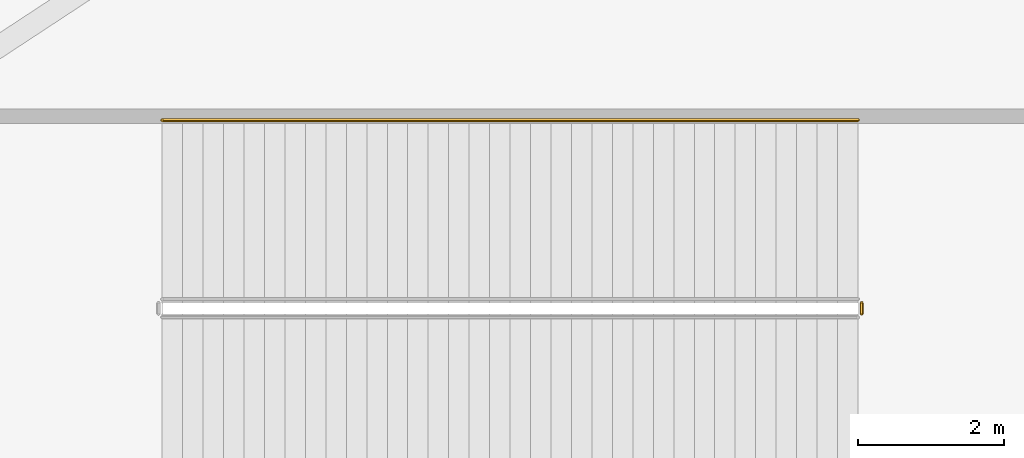
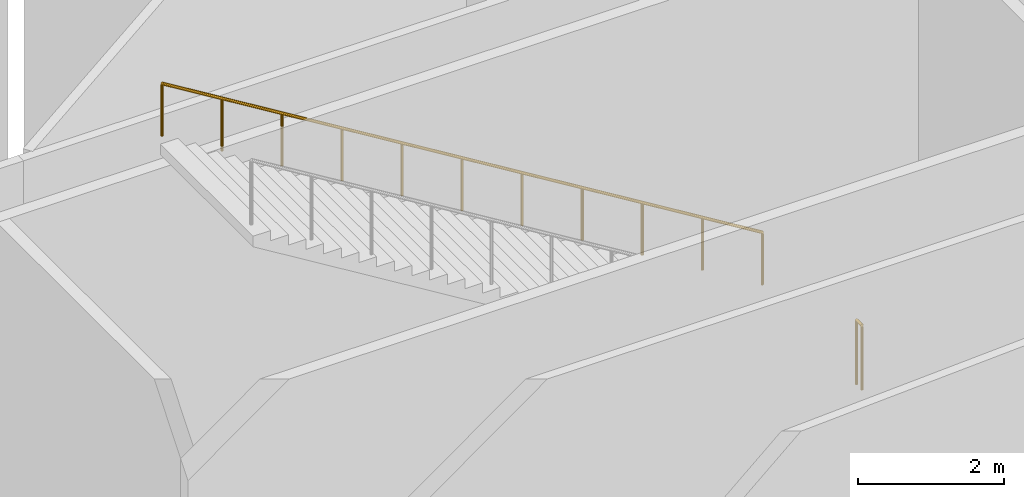
# One storey, part 21 of 21: 2 railings.
"""IFC4 building model written with IfcOpenShell, lengths in metres."""

from ifc_helpers import new_model, si_unit, direction, frame, origin, origin_2d, place, context, subcontext, project, spatial, circle, extrude, source, transform, mapped, material, type_object, element, save


model = new_model("IFC4")

# Units and contexts
model_context = context("Model", 3, precision=1e-05, world=origin(), true_north=direction((0.0, 1.0)))
body_context = subcontext(model_context, "Body", "Model", "MODEL_VIEW")
ifc_project = project(units=[si_unit("LENGTHUNIT", "METRE"), si_unit("AREAUNIT", "SQUARE_METRE"), si_unit("VOLUMEUNIT", "CUBIC_METRE"), si_unit("PLANEANGLEUNIT", "RADIAN"), si_unit("MASSUNIT", "GRAM", prefix="KILO")], contexts=[model_context])

# Site, building, storey
site_placement = place(None, origin())
site = spatial("IfcSite", under=ifc_project, at=site_placement, CompositionType="ELEMENT")
building_placement = place(site_placement, origin())
building = spatial("IfcBuilding", under=site, at=building_placement, Name="Embergate Tower", CompositionType="ELEMENT")
storey_placement = place(building_placement, frame((0.0, 0.0, 12.0)))
storey = spatial("IfcBuildingStorey", under=building, at=storey_placement, Name="L01", CompositionType="ELEMENT", Elevation=12.0)

# Railings
ifc_material = material(Name="Steel", Category="steel")
railing_type_1 = type_object("IfcRailingType", Name="Podium stair guard 1100", PredefinedType="GUARDRAIL", material=ifc_material)
shared_shape_1 = source(origin(), body_context, "Body", "SweptSolid", [
    extrude(circle(Radius=0.02392578125, at=origin_2d()), frame((0.0, 0.0, 1.076171875), z_axis=(0.0, 1.0, 0.0), x_axis=(-1.0, 0.0, 0.0)), (0.0, 0.0, 1.0), 0.14990234375),
    extrude(circle(Radius=0.02099609375, at=origin_2d()), origin(), (0.0, 0.0, 1.0), 1.052001953125),
    extrude(circle(Radius=0.02099609375, at=origin_2d()), frame((0.0, 0.14990234375, 0.0)), (0.0, 0.0, 1.0), 1.052001953125),
])
railing_1_placement = place(storey_placement, frame((29.6201171875, 8.050048828125, 6.0)))
element("IfcRailing", 1, at=railing_1_placement, inside=storey, type_object=railing_type_1, Name="L01 P1 stair guard 2", PredefinedType="GUARDRAIL", context=body_context, shape_type="MappedRepresentation", body=[
    mapped(shared_shape_1, transform((0.0, 0.0, 0.0))),
])
railing_type_2 = type_object("IfcRailingType", Name="Podium stair handrail 900", PredefinedType="HANDRAIL", material=ifc_material)
shared_shape_2 = source(origin(), body_context, "Body", "SweptSolid", [
    extrude(circle(Radius=0.02392578125, at=origin_2d()), frame((0.0, 0.0, 0.8759765625), z_axis=(-0.852850111455, 0.0, 0.522155807582), x_axis=(0.0, -1.0, 0.0)), (0.0, 0.0, 1.0), 11.16259765625),
    extrude(circle(Radius=0.02099609375, at=origin_2d()), origin(), (0.0, 0.0, 1.0), 0.851806640625),
    extrude(circle(Radius=0.02099609375, at=origin_2d()), frame((-0.951904296875, 0.0, 0.582763671875)), (0.0, 0.0, 1.0), 0.851806640625),
    extrude(circle(Radius=0.02099609375, at=origin_2d()), frame((-1.904052734375, 0.0, 1.165771484375)), (0.0, 0.0, 1.0), 0.851806640625),
    extrude(circle(Radius=0.02099609375, at=origin_2d()), frame((-2.85595703125, 0.0, 1.74853515625)), (0.0, 0.0, 1.0), 0.851806640625),
    extrude(circle(Radius=0.02099609375, at=origin_2d()), frame((-3.80810546875, 0.0, 2.33154296875)), (0.0, 0.0, 1.0), 0.851806640625),
    extrude(circle(Radius=0.02099609375, at=origin_2d()), frame((-4.760009765625, 0.0, 2.914306640625)), (0.0, 0.0, 1.0), 0.851806640625),
    extrude(circle(Radius=0.02099609375, at=origin_2d()), frame((-5.7119140625, 0.0, 3.4970703125)), (0.0, 0.0, 1.0), 0.851806640625),
    extrude(circle(Radius=0.02099609375, at=origin_2d()), frame((-6.6640625, 0.0, 4.080078125)), (0.0, 0.0, 1.0), 0.851806640625),
    extrude(circle(Radius=0.02099609375, at=origin_2d()), frame((-7.615966796875, 0.0, 4.662841796875)), (0.0, 0.0, 1.0), 0.851806640625),
    extrude(circle(Radius=0.02099609375, at=origin_2d()), frame((-8.568115234375, 0.0, 5.245849609375)), (0.0, 0.0, 1.0), 0.851806640625),
    extrude(circle(Radius=0.02099609375, at=origin_2d()), frame((-9.52001953125, 0.0, 5.82861328125)), (0.0, 0.0, 1.0), 0.851806640625),
])
railing_2_placement = place(storey_placement, frame((29.570068359375, 10.699951171875, 6.17138671875)))
element("IfcRailing", 2, at=railing_2_placement, inside=storey, type_object=railing_type_2, Name="L01 P1 stair handrail 2", PredefinedType="HANDRAIL", context=body_context, shape_type="MappedRepresentation", body=[
    mapped(shared_shape_2, transform((0.0, 0.0, 0.0))),
])

save(model, "model.ifc")
